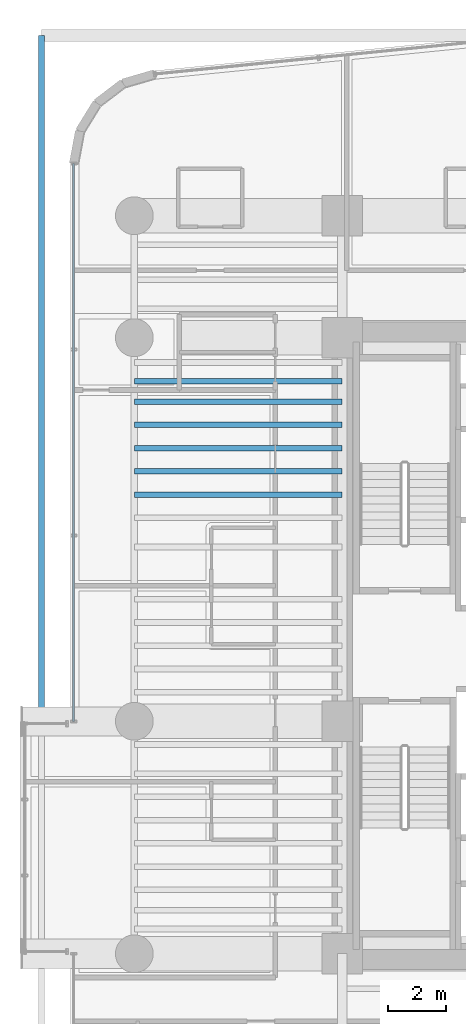
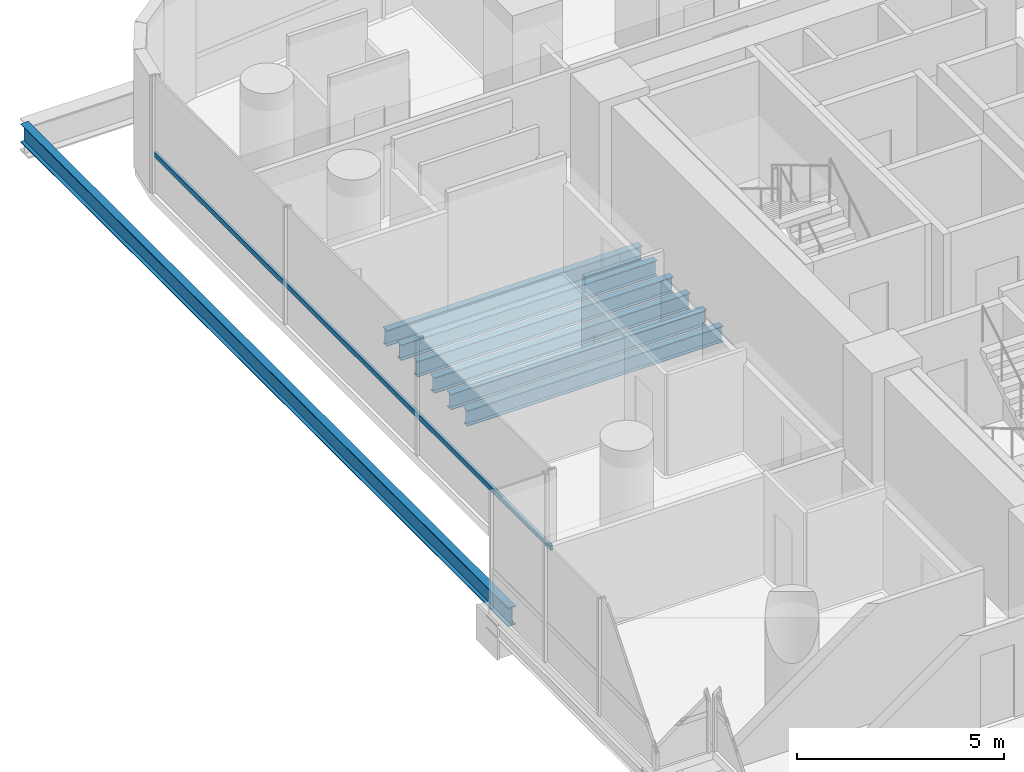
# One storey, part 10 of 50: 7 beams, 1 member, 1 element without a shape of its own.
"""IFC4 building model written with IfcOpenShell, lengths in metres."""

from ifc_helpers import new_model, si_unit, direction, frame, origin, origin_2d, place, context, subcontext, project, spatial, hollow_rectangle, i_section, extrude, source, transform, mapped, material, material_profile, profile_set, type_object, element, aggregate, save


model = new_model("IFC4")

# Units and contexts
model_context = context("Model", 3, precision=1e-05, world=origin(), true_north=direction((0.0, 1.0)))
body_context = subcontext(model_context, "Body", "Model", "MODEL_VIEW")
ifc_project = project(units=[si_unit("LENGTHUNIT", "METRE"), si_unit("AREAUNIT", "SQUARE_METRE"), si_unit("VOLUMEUNIT", "CUBIC_METRE"), si_unit("PLANEANGLEUNIT", "RADIAN"), si_unit("MASSUNIT", "GRAM", prefix="KILO")], contexts=[model_context])

# Site, building, storey
site_placement = place(None, origin())
site = spatial("IfcSite", under=ifc_project, at=site_placement, CompositionType="ELEMENT")
building_placement = place(site_placement, origin())
building = spatial("IfcBuilding", under=site, at=building_placement, Name="Valdorenza Pilgrim Sanctuary Tower", CompositionType="ELEMENT")
storey_placement = place(building_placement, frame((0.0, 0.0, 26.0)))
storey = spatial("IfcBuildingStorey", under=building, at=storey_placement, Name="L05", CompositionType="ELEMENT", Elevation=26.0)

# Beams
ifc_material_1 = material(Name="Steel ASTM A992 Grade 50", Category="steel")
ifc_material_profile_1 = material_profile(ifc_material_1, i_section(OverallWidth=0.193115234375, OverallDepth=0.466064453125, WebThickness=0.011474609375, FlangeThickness=0.01904296875, at=origin_2d()), Name="W18X65")
ifc_profile_set_1 = profile_set([ifc_material_profile_1], Name="Steel ASTM A992 Grade 50")
beam_type_1 = type_object("IfcBeamType", Name="STR-BM-JST-W18A", PredefinedType="JOIST", material=ifc_profile_set_1)
shared_shape_1 = source(origin(), body_context, "Body", "SweptSolid", [
    extrude(i_section(OverallWidth=0.193115234375, OverallDepth=0.466064453125, WebThickness=0.011474609375, FlangeThickness=0.01904296875, at=origin_2d()), origin(), (0.0, 0.0, 1.0), 7.150146484375),
])
for number, where, z_axis, x_axis, name in (
    (1, (-29.800048828125, 5.199951171875, -0.472900390625), (1.0, 0.0, 0.0), (0.0, 1.0, 0.0), "L05 Composite Floor Joist JST-WA-17"),
    (2, (-29.800048828125, 6.0, -0.472900390625), (1.0, 0.0, 0.0), (0.0, 1.0, 0.0), "L05 Composite Floor Joist JST-WA-18"),
    (3, (-29.800048828125, 6.800048828125, -0.472900390625), (1.0, 0.0, 0.0), (0.0, 1.0, 0.0), "L05 Composite Floor Joist JST-WA-19"),
    (4, (-29.800048828125, 7.60009765625, -0.472900390625), (1.0, 0.0, 0.0), (0.0, 1.0, 0.0), "L05 Composite Floor Joist JST-WA-20"),
    (5, (-29.800048828125, 8.39990234375, -0.472900390625), (1.0, 0.0, 0.0), (0.0, 1.0, 0.0), "L05 Composite Floor Joist JST-WA-21"),
    (6, (-29.800048828125, 9.10009765625, -0.472900390625), (1.0, 0.0, 0.0), (0.0, 1.0, 0.0), "L05 Composite Floor Joist JST-WA-22"),
):
    element("IfcBeam", number, at=place(storey_placement, frame(where, z_axis=z_axis, x_axis=x_axis)), inside=storey, type_object=beam_type_1, Name=name, PredefinedType="JOIST", context=body_context, shape_type="MappedRepresentation", body=[
        mapped(shared_shape_1, transform((0.0, 0.0, 0.0), x_axis=(1.0, 0.0, 0.0), y_axis=(0.0, 1.0, 0.0), z_axis=(0.0, 0.0, 1.0), scale=1.0)),
    ])
ifc_material_profile_2 = material_profile(ifc_material_1, i_section(OverallWidth=0.214111328125, OverallDepth=0.549072265625, WebThickness=0.0146484375, FlangeThickness=0.023681640625, at=origin_2d()), Name="W21X93")
ifc_profile_set_2 = profile_set([ifc_material_profile_2], Name="Steel ASTM A992 Grade 50")
beam_type_2 = type_object("IfcBeamType", Name="STR-BM-SPN-W21A", PredefinedType="SPANDREL", material=ifc_profile_set_2)
shared_shape_2 = source(origin(), body_context, "Body", "SweptSolid", [
    extrude(i_section(OverallWidth=0.214111328125, OverallDepth=0.549072265625, WebThickness=0.0146484375, FlangeThickness=0.023681640625, at=origin_2d()), origin(), (0.0, 0.0, 1.0), 23.60009765625),
])
beam_placement = place(storey_placement, frame((-33.0, -2.60009765625, -0.514404296875), z_axis=(0.0, 1.0, 0.0), x_axis=(-1.0, 0.0, 0.0)))
element("IfcBeam", 7, at=beam_placement, inside=storey, type_object=beam_type_2, Name="L05 Floor Girder POD-SPN-WN", PredefinedType="SPANDREL", context=body_context, shape_type="MappedRepresentation", body=[
    mapped(shared_shape_2, transform((0.0, 0.0, 0.0), x_axis=(1.0, 0.0, 0.0), y_axis=(0.0, 1.0, 0.0), z_axis=(0.0, 0.0, 1.0), scale=1.0)),
])

# Curtain wall, member
ifc_material_2 = material(Name="Curtain-wall IGU glazing", Category="glass")
curtain_wall_type = type_object("IfcCurtainWallType", Name="CW-SYS-02", PredefinedType="NOTDEFINED", material=ifc_material_2)
curtain_wall_placement = place(storey_placement, origin())
curtain_wall = element("IfcCurtainWall", 8, at=curtain_wall_placement, inside=storey, type_object=curtain_wall_type, Name="L05 Curtain Wall CW-L05-1-1S2", PredefinedType="NOTDEFINED")
ifc_material_3 = material(Name="Anodised aluminium AW-6060", Category="aluminium")
ifc_material_profile_3 = material_profile(ifc_material_3, hollow_rectangle(XDim=0.074951171875, YDim=0.14990234375, WallThickness=0.00390625, at=origin_2d()), Name="ALU-T 150x75x4")
ifc_profile_set_3 = profile_set([ifc_material_profile_3], Name="Anodised aluminium AW-6060")
member_type = type_object("IfcMemberType", Name="CW-TRN-02", PredefinedType="USERDEFINED", material=ifc_profile_set_3)
shared_shape_3 = source(origin(), body_context, "Body", "SweptSolid", [
    extrude(hollow_rectangle(XDim=0.074951171875, YDim=0.14990234375, WallThickness=0.00390625, at=origin_2d()), origin(), (0.0, 0.0, 1.0), 19.194091796875),
])
member_placement = place(storey_placement, frame((-31.889892578125, -2.60009765625, 1.1201171875), z_axis=(0.0, 1.0, 0.0), x_axis=(-1.0, 0.0, 0.0)))
member = element("IfcMember", 9, at=member_placement, type_object=member_type, Name="CW-L05-1-1S2 Transom 1", ObjectType="TRANSOM", PredefinedType="USERDEFINED", context=body_context, shape_type="MappedRepresentation", body=[
    mapped(shared_shape_3, transform((0.0, 0.0, 0.0), x_axis=(1.0, 0.0, 0.0), y_axis=(0.0, 1.0, 0.0), z_axis=(0.0, 0.0, 1.0), scale=1.0)),
])
aggregate(curtain_wall, [member])

save(model, "model.ifc")
